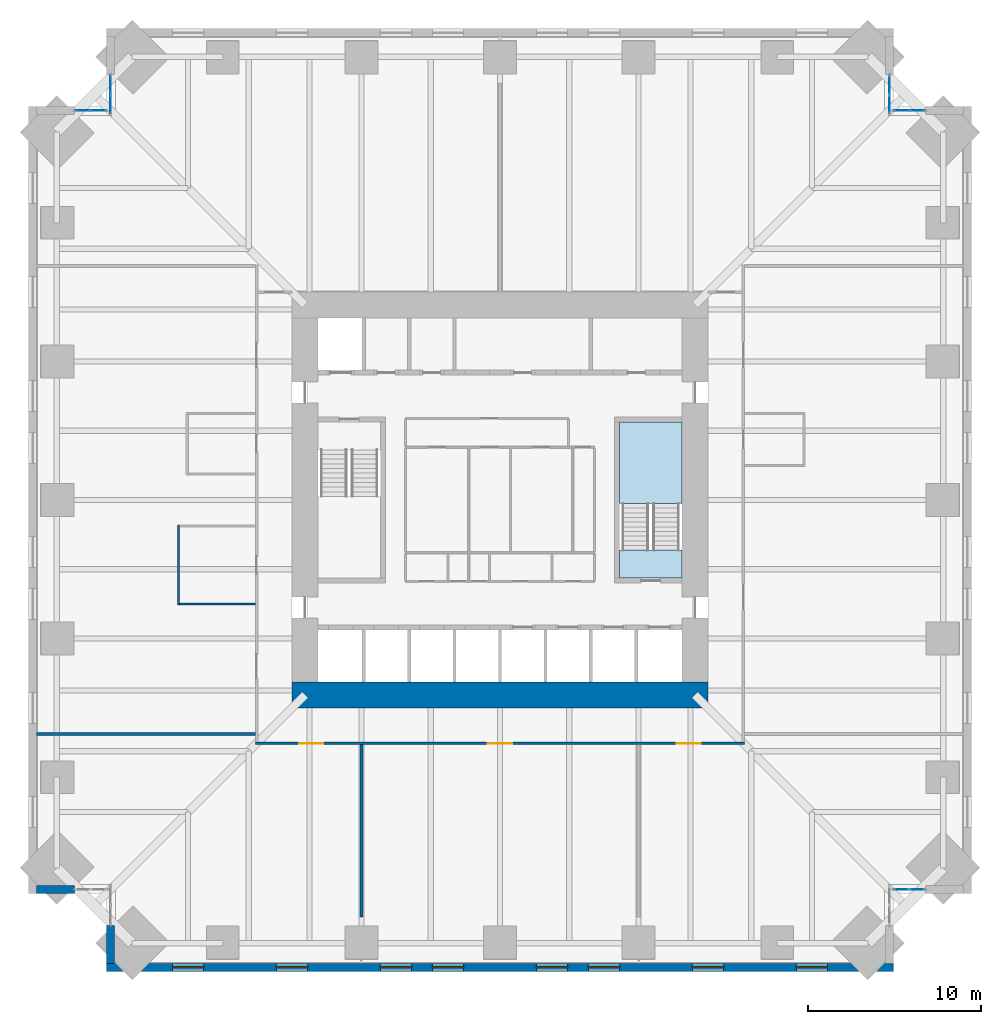
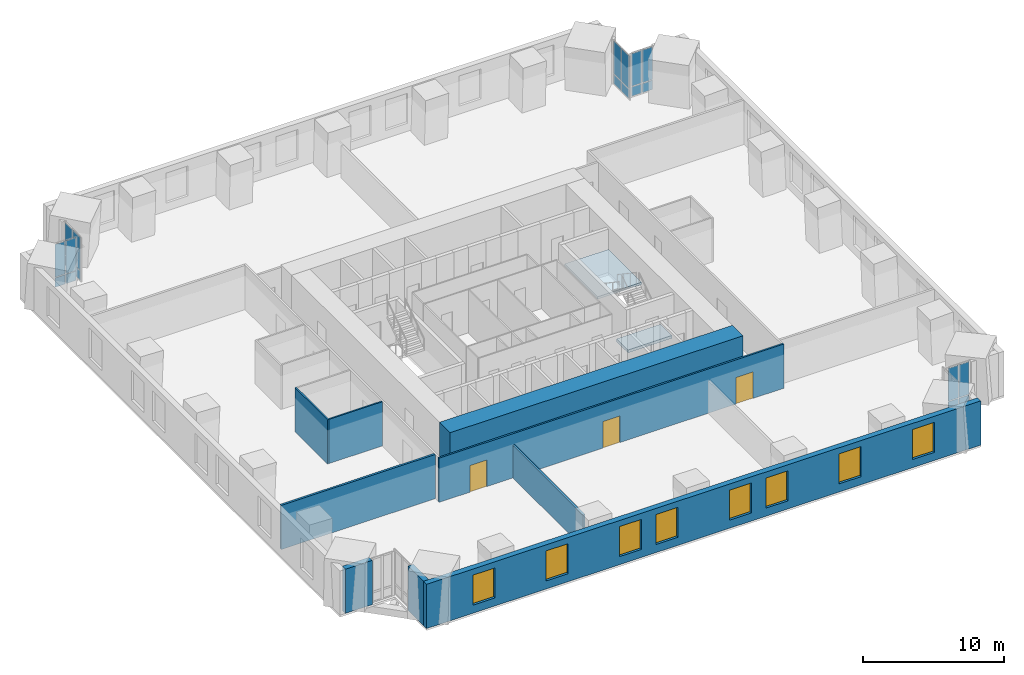
# One storey, part 11 of 16: 20 plates, 9 walls, 8 windows, 3 doors, 2 slabs, 11 openings, 6 elements without a shape of their own.
"""IFC4 building model written with IfcOpenShell, lengths in metres."""

from ifc_helpers import new_model, si_unit, direction, frame, frame_2d, origin, origin_2d, place, context, subcontext, project, spatial, polyline, rectangle, outline, extrude, material, layer, layer_set, type_object, element, fill, aggregate, save


model = new_model("IFC4")

# Units and contexts
model_context = context("Model", 3, precision=1e-05, world=origin(), true_north=direction((0.0, 1.0)))
body_context = subcontext(model_context, "Body", "Model", "MODEL_VIEW")
ifc_project = project(units=[si_unit("LENGTHUNIT", "METRE"), si_unit("AREAUNIT", "SQUARE_METRE"), si_unit("VOLUMEUNIT", "CUBIC_METRE"), si_unit("PLANEANGLEUNIT", "RADIAN"), si_unit("MASSUNIT", "GRAM", prefix="KILO")], contexts=[model_context])

# Site, building, storey
site_placement = place(None, origin())
site = spatial("IfcSite", under=ifc_project, at=site_placement, CompositionType="ELEMENT")
building_placement = place(site_placement, origin())
building = spatial("IfcBuilding", under=site, at=building_placement, Name="Peilmerk Tower", CompositionType="ELEMENT")
storey_placement = place(building_placement, frame((0.0, 0.0, 131.800048828125)))
storey = spatial("IfcBuildingStorey", under=building, at=storey_placement, Name="L26", CompositionType="ELEMENT", Elevation=131.800048828125)

# Curtain wall, plates
ifc_material_1 = material(Name="Aluminium stick curtain wall", Category="aluminium")
curtain_wall_type = type_object("IfcCurtainWallType", Name="CW3 stick curtain wall, 2250 module", PredefinedType="NOTDEFINED", material=ifc_material_1)
curtain_wall_1_placement = place(storey_placement, origin())
curtain_wall_1 = element("IfcCurtainWall", 1, at=curtain_wall_1_placement, inside=storey, type_object=curtain_wall_type, Name="Curtain wall CW3 NEA L26", PredefinedType="NOTDEFINED")
ifc_material_2 = material(Name="Clear insulated glazing unit", Category="glass")
ifc_layer_1 = layer(ifc_material_2, 0.028076171875)
ifc_layer_set_1 = layer_set([ifc_layer_1], Name="Clear insulated glazing unit")
plate_type = type_object("IfcPlateType", Name="CW3-P 28 glazed panel", PredefinedType="CURTAIN_PANEL", material=ifc_layer_set_1)
plate_1_placement = place(storey_placement, frame((22.47509765625, 22.83837890625, 0.06494140625), z_axis=(0.0, 0.0, 1.0), x_axis=(0.0, 1.0, 0.0)))
plate_1 = element("IfcPlate", 2, at=plate_1_placement, type_object=plate_type, Name="CW3 panel 1.1", PredefinedType="CURTAIN_PANEL", context=body_context, shape_type="SweptSolid", body=[
    extrude(rectangle(XDim=1.046875, YDim=0.028076171875, at=origin_2d()), origin(), (0.0, 0.0, 1.0), 0.802490234375),
])
plate_2_placement = place(storey_placement, frame((22.47509765625, 22.83837890625, 0.932373046875), z_axis=(0.0, 0.0, 1.0), x_axis=(0.0, 1.0, 0.0)))
plate_2 = element("IfcPlate", 3, at=plate_2_placement, type_object=plate_type, Name="CW3 panel 1.2", PredefinedType="CURTAIN_PANEL", context=body_context, shape_type="SweptSolid", body=[
    extrude(rectangle(XDim=1.046875, YDim=0.028076171875, at=origin_2d()), origin(), (0.0, 0.0, 1.0), 2.83251953125),
])
plate_3_placement = place(storey_placement, frame((22.47509765625, 23.9501953125, 0.06494140625), z_axis=(0.0, 0.0, 1.0), x_axis=(0.0, 1.0, 0.0)))
plate_3 = element("IfcPlate", 4, at=plate_3_placement, type_object=plate_type, Name="CW3 panel 2.1", PredefinedType="CURTAIN_PANEL", context=body_context, shape_type="SweptSolid", body=[
    extrude(rectangle(XDim=1.046875, YDim=0.028076171875, at=origin_2d()), origin(), (0.0, 0.0, 1.0), 0.802490234375),
])
plate_4_placement = place(storey_placement, frame((22.47509765625, 23.9501953125, 0.932373046875), z_axis=(0.0, 0.0, 1.0), x_axis=(0.0, 1.0, 0.0)))
plate_4 = element("IfcPlate", 5, at=plate_4_placement, type_object=plate_type, Name="CW3 panel 2.2", PredefinedType="CURTAIN_PANEL", context=body_context, shape_type="SweptSolid", body=[
    extrude(rectangle(XDim=1.046875, YDim=0.028076171875, at=origin_2d()), origin(), (0.0, 0.0, 1.0), 2.83251953125),
])
aggregate(curtain_wall_1, [plate_1, plate_2, plate_3, plate_4])

curtain_wall_2_placement = place(storey_placement, origin())
curtain_wall_2 = element("IfcCurtainWall", 6, at=curtain_wall_2_placement, inside=storey, type_object=curtain_wall_type, Name="Curtain wall CW3 NEB L26", PredefinedType="NOTDEFINED")
plate_5_placement = place(storey_placement, frame((23.176025390625, 22.47509765625, 0.06494140625), z_axis=(0.0, 0.0, 1.0), x_axis=(1.0, 0.0, 0.0)))
plate_5 = element("IfcPlate", 7, at=plate_5_placement, type_object=plate_type, Name="CW3 panel 1.1", PredefinedType="CURTAIN_PANEL", context=body_context, shape_type="SweptSolid", body=[
    extrude(rectangle(XDim=0.82177734375, YDim=0.028076171875, at=origin_2d()), origin(), (0.0, 0.0, 1.0), 0.802490234375),
])
plate_6_placement = place(storey_placement, frame((23.176025390625, 22.47509765625, 0.932373046875), z_axis=(0.0, 0.0, 1.0), x_axis=(1.0, 0.0, 0.0)))
plate_6 = element("IfcPlate", 8, at=plate_6_placement, type_object=plate_type, Name="CW3 panel 1.2", PredefinedType="CURTAIN_PANEL", context=body_context, shape_type="SweptSolid", body=[
    extrude(rectangle(XDim=0.82177734375, YDim=0.028076171875, at=origin_2d()), origin(), (0.0, 0.0, 1.0), 2.83251953125),
])
plate_7_placement = place(storey_placement, frame((24.062744140625, 22.47509765625, 0.06494140625), z_axis=(0.0, 0.0, 1.0), x_axis=(1.0, 0.0, 0.0)))
plate_7 = element("IfcPlate", 9, at=plate_7_placement, type_object=plate_type, Name="CW3 panel 2.1", PredefinedType="CURTAIN_PANEL", context=body_context, shape_type="SweptSolid", body=[
    extrude(rectangle(XDim=0.82177734375, YDim=0.028076171875, at=origin_2d()), origin(), (0.0, 0.0, 1.0), 0.802490234375),
])
plate_8_placement = place(storey_placement, frame((24.062744140625, 22.47509765625, 0.932373046875), z_axis=(0.0, 0.0, 1.0), x_axis=(1.0, 0.0, 0.0)))
plate_8 = element("IfcPlate", 10, at=plate_8_placement, type_object=plate_type, Name="CW3 panel 2.2", PredefinedType="CURTAIN_PANEL", context=body_context, shape_type="SweptSolid", body=[
    extrude(rectangle(XDim=0.82177734375, YDim=0.028076171875, at=origin_2d()), origin(), (0.0, 0.0, 1.0), 2.83251953125),
])
aggregate(curtain_wall_2, [plate_5, plate_6, plate_7, plate_8])

curtain_wall_3_placement = place(storey_placement, origin())
curtain_wall_3 = element("IfcCurtainWall", 11, at=curtain_wall_3_placement, inside=storey, type_object=curtain_wall_type, Name="Curtain wall CW3 SEB L26", PredefinedType="NOTDEFINED")
plate_9_placement = place(storey_placement, frame((23.176025390625, -22.47509765625, 0.06494140625), z_axis=(0.0, 0.0, 1.0), x_axis=(1.0, 0.0, 0.0)))
plate_9 = element("IfcPlate", 12, at=plate_9_placement, type_object=plate_type, Name="CW3 panel 1.1", PredefinedType="CURTAIN_PANEL", context=body_context, shape_type="SweptSolid", body=[
    extrude(rectangle(XDim=0.82177734375, YDim=0.028076171875, at=origin_2d()), origin(), (0.0, 0.0, 1.0), 0.802490234375),
])
plate_10_placement = place(storey_placement, frame((23.176025390625, -22.47509765625, 0.932373046875), z_axis=(0.0, 0.0, 1.0), x_axis=(1.0, 0.0, 0.0)))
plate_10 = element("IfcPlate", 13, at=plate_10_placement, type_object=plate_type, Name="CW3 panel 1.2", PredefinedType="CURTAIN_PANEL", context=body_context, shape_type="SweptSolid", body=[
    extrude(rectangle(XDim=0.82177734375, YDim=0.028076171875, at=origin_2d()), origin(), (0.0, 0.0, 1.0), 2.83251953125),
])
plate_11_placement = place(storey_placement, frame((24.062744140625, -22.47509765625, 0.06494140625), z_axis=(0.0, 0.0, 1.0), x_axis=(1.0, 0.0, 0.0)))
plate_11 = element("IfcPlate", 14, at=plate_11_placement, type_object=plate_type, Name="CW3 panel 2.1", PredefinedType="CURTAIN_PANEL", context=body_context, shape_type="SweptSolid", body=[
    extrude(rectangle(XDim=0.82177734375, YDim=0.028076171875, at=origin_2d()), origin(), (0.0, 0.0, 1.0), 0.802490234375),
])
plate_12_placement = place(storey_placement, frame((24.062744140625, -22.47509765625, 0.932373046875), z_axis=(0.0, 0.0, 1.0), x_axis=(1.0, 0.0, 0.0)))
plate_12 = element("IfcPlate", 15, at=plate_12_placement, type_object=plate_type, Name="CW3 panel 2.2", PredefinedType="CURTAIN_PANEL", context=body_context, shape_type="SweptSolid", body=[
    extrude(rectangle(XDim=0.82177734375, YDim=0.028076171875, at=origin_2d()), origin(), (0.0, 0.0, 1.0), 2.83251953125),
])
aggregate(curtain_wall_3, [plate_9, plate_10, plate_11, plate_12])

curtain_wall_4_placement = place(storey_placement, origin())
curtain_wall_4 = element("IfcCurtainWall", 16, at=curtain_wall_4_placement, inside=storey, type_object=curtain_wall_type, Name="Curtain wall CW3 NWA L26", PredefinedType="NOTDEFINED")
plate_13_placement = place(storey_placement, frame((-22.47509765625, 22.83837890625, 0.06494140625), z_axis=(0.0, 0.0, 1.0), x_axis=(0.0, 1.0, 0.0)))
plate_13 = element("IfcPlate", 17, at=plate_13_placement, type_object=plate_type, Name="CW3 panel 1.1", PredefinedType="CURTAIN_PANEL", context=body_context, shape_type="SweptSolid", body=[
    extrude(rectangle(XDim=1.046875, YDim=0.028076171875, at=origin_2d()), origin(), (0.0, 0.0, 1.0), 0.802490234375),
])
plate_14_placement = place(storey_placement, frame((-22.47509765625, 22.83837890625, 0.932373046875), z_axis=(0.0, 0.0, 1.0), x_axis=(0.0, 1.0, 0.0)))
plate_14 = element("IfcPlate", 18, at=plate_14_placement, type_object=plate_type, Name="CW3 panel 1.2", PredefinedType="CURTAIN_PANEL", context=body_context, shape_type="SweptSolid", body=[
    extrude(rectangle(XDim=1.046875, YDim=0.028076171875, at=origin_2d()), origin(), (0.0, 0.0, 1.0), 2.83251953125),
])
plate_15_placement = place(storey_placement, frame((-22.47509765625, 23.9501953125, 0.06494140625), z_axis=(0.0, 0.0, 1.0), x_axis=(0.0, 1.0, 0.0)))
plate_15 = element("IfcPlate", 19, at=plate_15_placement, type_object=plate_type, Name="CW3 panel 2.1", PredefinedType="CURTAIN_PANEL", context=body_context, shape_type="SweptSolid", body=[
    extrude(rectangle(XDim=1.046875, YDim=0.028076171875, at=origin_2d()), origin(), (0.0, 0.0, 1.0), 0.802490234375),
])
plate_16_placement = place(storey_placement, frame((-22.47509765625, 23.9501953125, 0.932373046875), z_axis=(0.0, 0.0, 1.0), x_axis=(0.0, 1.0, 0.0)))
plate_16 = element("IfcPlate", 20, at=plate_16_placement, type_object=plate_type, Name="CW3 panel 2.2", PredefinedType="CURTAIN_PANEL", context=body_context, shape_type="SweptSolid", body=[
    extrude(rectangle(XDim=1.046875, YDim=0.028076171875, at=origin_2d()), origin(), (0.0, 0.0, 1.0), 2.83251953125),
])
aggregate(curtain_wall_4, [plate_13, plate_14, plate_15, plate_16])

curtain_wall_5_placement = place(storey_placement, origin())
curtain_wall_5 = element("IfcCurtainWall", 21, at=curtain_wall_5_placement, inside=storey, type_object=curtain_wall_type, Name="Curtain wall CW3 NWB L26", PredefinedType="NOTDEFINED")
plate_17_placement = place(storey_placement, frame((-23.176025390625, 22.47509765625, 0.06494140625), z_axis=(0.0, 0.0, 1.0), x_axis=(-1.0, 0.0, 0.0)))
plate_17 = element("IfcPlate", 22, at=plate_17_placement, type_object=plate_type, Name="CW3 panel 1.1", PredefinedType="CURTAIN_PANEL", context=body_context, shape_type="SweptSolid", body=[
    extrude(rectangle(XDim=0.82177734375, YDim=0.028076171875, at=origin_2d()), origin(), (0.0, 0.0, 1.0), 0.802490234375),
])
plate_18_placement = place(storey_placement, frame((-23.176025390625, 22.47509765625, 0.932373046875), z_axis=(0.0, 0.0, 1.0), x_axis=(-1.0, 0.0, 0.0)))
plate_18 = element("IfcPlate", 23, at=plate_18_placement, type_object=plate_type, Name="CW3 panel 1.2", PredefinedType="CURTAIN_PANEL", context=body_context, shape_type="SweptSolid", body=[
    extrude(rectangle(XDim=0.82177734375, YDim=0.028076171875, at=origin_2d()), origin(), (0.0, 0.0, 1.0), 2.83251953125),
])
plate_19_placement = place(storey_placement, frame((-24.062744140625, 22.47509765625, 0.06494140625), z_axis=(0.0, 0.0, 1.0), x_axis=(-1.0, 0.0, 0.0)))
plate_19 = element("IfcPlate", 24, at=plate_19_placement, type_object=plate_type, Name="CW3 panel 2.1", PredefinedType="CURTAIN_PANEL", context=body_context, shape_type="SweptSolid", body=[
    extrude(rectangle(XDim=0.82177734375, YDim=0.028076171875, at=origin_2d()), origin(), (0.0, 0.0, 1.0), 0.802490234375),
])
plate_20_placement = place(storey_placement, frame((-24.062744140625, 22.47509765625, 0.932373046875), z_axis=(0.0, 0.0, 1.0), x_axis=(-1.0, 0.0, 0.0)))
plate_20 = element("IfcPlate", 25, at=plate_20_placement, type_object=plate_type, Name="CW3 panel 2.2", PredefinedType="CURTAIN_PANEL", context=body_context, shape_type="SweptSolid", body=[
    extrude(rectangle(XDim=0.82177734375, YDim=0.028076171875, at=origin_2d()), origin(), (0.0, 0.0, 1.0), 2.83251953125),
])
aggregate(curtain_wall_5, [plate_17, plate_18, plate_19, plate_20])

# Stair, slabs
ifc_material_3 = material(Name="Precast concrete C45/55", Category="concrete")
stair_type = type_object("IfcStairType", Name="ST2 22 risers of 181.8", PredefinedType="HALF_TURN_STAIR", material=ifc_material_3)
stair_placement = place(storey_placement, origin())
stair = element("IfcStair", 26, at=stair_placement, inside=storey, type_object=stair_type, Name="Stair 2 L26 to L27", PredefinedType="HALF_TURN_STAIR")
ifc_material_4 = material(Name="Concrete C35/45", Category="concrete")
ifc_layer_2 = layer(ifc_material_4, 0.199951171875)
ifc_layer_set_2 = layer_set([ifc_layer_2], Name="Concrete C35/45")
slab_type_1 = type_object("IfcSlabType", Name="SL1 200 concrete stair landing", PredefinedType="LANDING", material=ifc_layer_set_2)
slab_1_placement = place(storey_placement, frame((0.0, 0.0, 1.800048828125)))
slab_1 = element("IfcSlab", 27, at=slab_1_placement, type_object=slab_type_1, Name="ST2 landing 1", PredefinedType="LANDING", context=body_context, shape_type="SweptSolid", body=[
    extrude(outline(polyline([(6.89990234375, -0.199951171875), (10.5, -0.199951171875), (10.5, 4.5), (6.89990234375, 4.5), (6.89990234375, -0.199951171875)])), origin(), (0.0, 0.0, 1.0), 0.199951171875),
])
ifc_layer_3 = layer(ifc_material_4, 0.25)
ifc_layer_set_3 = layer_set([ifc_layer_3], Name="Concrete C35/45")
slab_type_2 = type_object("IfcSlabType", Name="SL2 250 concrete floor landing", PredefinedType="LANDING", material=ifc_layer_set_3)
slab_2_placement = place(storey_placement, frame((0.0, 0.0, -0.25)))
slab_2 = element("IfcSlab", 28, at=slab_2_placement, type_object=slab_type_2, Name="ST2 floor landing", PredefinedType="LANDING", context=body_context, shape_type="SweptSolid", body=[
    extrude(outline(polyline([(6.89990234375, -4.5), (10.5, -4.5), (10.5, -2.89990234375), (6.89990234375, -2.89990234375), (6.89990234375, -4.5)])), origin(), (0.0, 0.0, 1.0), 0.25),
])
aggregate(stair, [slab_1, slab_2])

# Wall, openings, windows
ifc_material_5 = material(Name="Precast concrete C45/55, board-marked finish", Category="concrete")
ifc_layer_4 = layer(ifc_material_5, 0.449951171875)
ifc_layer_set_4 = layer_set([ifc_layer_4], Name="Precast concrete C45/55, board-marked finish")
wall_type_1 = type_object("IfcWallType", Name="EW1 450 precast concrete facade wall, board-marked", PredefinedType="SOLIDWALL", material=ifc_layer_set_4)
wall_1_placement = place(storey_placement, frame((-22.699951171875, -26.97509765625, 0.0), z_axis=(0.0, 0.0, 1.0), x_axis=(1.0, 0.0, 0.0)))
wall_1 = element("IfcWall", 29, at=wall_1_placement, inside=storey, type_object=wall_type_1, Name="Facade wall S L26", PredefinedType="SOLIDWALL", context=body_context, shape_type="SweptSolid", body=[
    extrude(rectangle(XDim=45.39990234375, YDim=0.449951171875, at=frame_2d((22.699951171875, 0.0))), origin(), (0.0, 0.0, 1.0), 3.829833984375),
])
opening_1_placement = place(wall_1_placement, frame((3.800048828125, 0.0, 0.699951171875)))
opening_1 = element("IfcOpeningElement", 30, at=opening_1_placement, cuts=wall_1, Name="Opening W1", PredefinedType="OPENING", context=body_context, shape_type="SweptSolid", body=[
    extrude(rectangle(XDim=1.800048828125, YDim=2.60009765625, at=frame_2d((0.89990234375, 1.300048828125))), frame((0.0, 0.23486328125, 0.0), z_axis=(0.0, -1.0, 0.0), x_axis=(1.0, 0.0, 0.0)), (0.0, 0.0, 1.0), 0.469970703125),
])
opening_2_placement = place(wall_1_placement, frame((9.800048828125, 0.0, 0.699951171875)))
opening_2 = element("IfcOpeningElement", 31, at=opening_2_placement, cuts=wall_1, Name="Opening W1", PredefinedType="OPENING", context=body_context, shape_type="SweptSolid", body=[
    extrude(rectangle(XDim=1.800048828125, YDim=2.60009765625, at=frame_2d((0.89990234375, 1.300048828125))), frame((0.0, 0.23486328125, 0.0), z_axis=(0.0, -1.0, 0.0), x_axis=(1.0, 0.0, 0.0)), (0.0, 0.0, 1.0), 0.469970703125),
])
opening_3_placement = place(wall_1_placement, frame((15.800048828125, 0.0, 0.699951171875)))
opening_3 = element("IfcOpeningElement", 32, at=opening_3_placement, cuts=wall_1, Name="Opening W1", PredefinedType="OPENING", context=body_context, shape_type="SweptSolid", body=[
    extrude(rectangle(XDim=1.800048828125, YDim=2.60009765625, at=frame_2d((0.89990234375, 1.300048828125))), frame((0.0, 0.23486328125, 0.0), z_axis=(0.0, -1.0, 0.0), x_axis=(1.0, 0.0, 0.0)), (0.0, 0.0, 1.0), 0.469970703125),
])
opening_4_placement = place(wall_1_placement, frame((18.800048828125, 0.0, 0.699951171875)))
opening_4 = element("IfcOpeningElement", 33, at=opening_4_placement, cuts=wall_1, Name="Opening W1", PredefinedType="OPENING", context=body_context, shape_type="SweptSolid", body=[
    extrude(rectangle(XDim=1.800048828125, YDim=2.60009765625, at=frame_2d((0.89990234375, 1.300048828125))), frame((0.0, 0.23486328125, 0.0), z_axis=(0.0, -1.0, 0.0), x_axis=(1.0, 0.0, 0.0)), (0.0, 0.0, 1.0), 0.469970703125),
])
opening_5_placement = place(wall_1_placement, frame((24.800048828125, 0.0, 0.699951171875)))
opening_5 = element("IfcOpeningElement", 34, at=opening_5_placement, cuts=wall_1, Name="Opening W1", PredefinedType="OPENING", context=body_context, shape_type="SweptSolid", body=[
    extrude(rectangle(XDim=1.800048828125, YDim=2.60009765625, at=frame_2d((0.89990234375, 1.300048828125))), frame((0.0, 0.23486328125, 0.0), z_axis=(0.0, -1.0, 0.0), x_axis=(1.0, 0.0, 0.0)), (0.0, 0.0, 1.0), 0.469970703125),
])
opening_6_placement = place(wall_1_placement, frame((27.800048828125, 0.0, 0.699951171875)))
opening_6 = element("IfcOpeningElement", 35, at=opening_6_placement, cuts=wall_1, Name="Opening W1", PredefinedType="OPENING", context=body_context, shape_type="SweptSolid", body=[
    extrude(rectangle(XDim=1.800048828125, YDim=2.60009765625, at=frame_2d((0.89990234375, 1.300048828125))), frame((0.0, 0.23486328125, 0.0), z_axis=(0.0, -1.0, 0.0), x_axis=(1.0, 0.0, 0.0)), (0.0, 0.0, 1.0), 0.469970703125),
])
opening_7_placement = place(wall_1_placement, frame((33.800048828125, 0.0, 0.699951171875)))
opening_7 = element("IfcOpeningElement", 36, at=opening_7_placement, cuts=wall_1, Name="Opening W1", PredefinedType="OPENING", context=body_context, shape_type="SweptSolid", body=[
    extrude(rectangle(XDim=1.800048828125, YDim=2.60009765625, at=frame_2d((0.89990234375, 1.300048828125))), frame((0.0, 0.23486328125, 0.0), z_axis=(0.0, -1.0, 0.0), x_axis=(1.0, 0.0, 0.0)), (0.0, 0.0, 1.0), 0.469970703125),
])
opening_8_placement = place(wall_1_placement, frame((39.800048828125, 0.0, 0.699951171875)))
opening_8 = element("IfcOpeningElement", 37, at=opening_8_placement, cuts=wall_1, Name="Opening W1", PredefinedType="OPENING", context=body_context, shape_type="SweptSolid", body=[
    extrude(rectangle(XDim=1.800048828125, YDim=2.60009765625, at=frame_2d((0.89990234375, 1.300048828125))), frame((0.0, 0.23486328125, 0.0), z_axis=(0.0, -1.0, 0.0), x_axis=(1.0, 0.0, 0.0)), (0.0, 0.0, 1.0), 0.469970703125),
])
ifc_material_6 = material(Name="Aluminium frame, clear double glazing", Category="aluminium")
window_type = type_object("IfcWindowType", Name="W1 1800x2600 office window", PartitioningType="SINGLE_PANEL", PredefinedType="WINDOW", material=ifc_material_6)
window_1_placement = place(opening_1_placement, origin())
window_1 = element("IfcWindow", 38, at=window_1_placement, inside=storey, type_object=window_type, Name="Window W1 L26", OverallHeight=2.60009765625, OverallWidth=1.800048828125, PartitioningType="SINGLE_PANEL", PredefinedType="WINDOW", context=body_context, shape_type="SweptSolid", body=[
    extrude(rectangle(XDim=1.800048828125, YDim=2.60009765625, at=frame_2d((0.89990234375, 1.300048828125))), frame((0.0, 0.030029296875, 0.0), z_axis=(0.0, -1.0, 0.0), x_axis=(1.0, 0.0, 0.0)), (0.0, 0.0, 1.0), 0.06005859375),
])
fill(opening_1, window_1)
window_2_placement = place(opening_2_placement, origin())
window_2 = element("IfcWindow", 39, at=window_2_placement, inside=storey, type_object=window_type, Name="Window W1 L26", OverallHeight=2.60009765625, OverallWidth=1.800048828125, PartitioningType="SINGLE_PANEL", PredefinedType="WINDOW", context=body_context, shape_type="SweptSolid", body=[
    extrude(rectangle(XDim=1.800048828125, YDim=2.60009765625, at=frame_2d((0.89990234375, 1.300048828125))), frame((0.0, 0.030029296875, 0.0), z_axis=(0.0, -1.0, 0.0), x_axis=(1.0, 0.0, 0.0)), (0.0, 0.0, 1.0), 0.06005859375),
])
fill(opening_2, window_2)
window_3_placement = place(opening_3_placement, origin())
window_3 = element("IfcWindow", 40, at=window_3_placement, inside=storey, type_object=window_type, Name="Window W1 L26", OverallHeight=2.60009765625, OverallWidth=1.800048828125, PartitioningType="SINGLE_PANEL", PredefinedType="WINDOW", context=body_context, shape_type="SweptSolid", body=[
    extrude(rectangle(XDim=1.800048828125, YDim=2.60009765625, at=frame_2d((0.89990234375, 1.300048828125))), frame((0.0, 0.030029296875, 0.0), z_axis=(0.0, -1.0, 0.0), x_axis=(1.0, 0.0, 0.0)), (0.0, 0.0, 1.0), 0.06005859375),
])
fill(opening_3, window_3)
window_4_placement = place(opening_4_placement, origin())
window_4 = element("IfcWindow", 41, at=window_4_placement, inside=storey, type_object=window_type, Name="Window W1 L26", OverallHeight=2.60009765625, OverallWidth=1.800048828125, PartitioningType="SINGLE_PANEL", PredefinedType="WINDOW", context=body_context, shape_type="SweptSolid", body=[
    extrude(rectangle(XDim=1.800048828125, YDim=2.60009765625, at=frame_2d((0.89990234375, 1.300048828125))), frame((0.0, 0.030029296875, 0.0), z_axis=(0.0, -1.0, 0.0), x_axis=(1.0, 0.0, 0.0)), (0.0, 0.0, 1.0), 0.06005859375),
])
fill(opening_4, window_4)
window_5_placement = place(opening_5_placement, origin())
window_5 = element("IfcWindow", 42, at=window_5_placement, inside=storey, type_object=window_type, Name="Window W1 L26", OverallHeight=2.60009765625, OverallWidth=1.800048828125, PartitioningType="SINGLE_PANEL", PredefinedType="WINDOW", context=body_context, shape_type="SweptSolid", body=[
    extrude(rectangle(XDim=1.800048828125, YDim=2.60009765625, at=frame_2d((0.89990234375, 1.300048828125))), frame((0.0, 0.030029296875, 0.0), z_axis=(0.0, -1.0, 0.0), x_axis=(1.0, 0.0, 0.0)), (0.0, 0.0, 1.0), 0.06005859375),
])
fill(opening_5, window_5)
window_6_placement = place(opening_6_placement, origin())
window_6 = element("IfcWindow", 43, at=window_6_placement, inside=storey, type_object=window_type, Name="Window W1 L26", OverallHeight=2.60009765625, OverallWidth=1.800048828125, PartitioningType="SINGLE_PANEL", PredefinedType="WINDOW", context=body_context, shape_type="SweptSolid", body=[
    extrude(rectangle(XDim=1.800048828125, YDim=2.60009765625, at=frame_2d((0.89990234375, 1.300048828125))), frame((0.0, 0.030029296875, 0.0), z_axis=(0.0, -1.0, 0.0), x_axis=(1.0, 0.0, 0.0)), (0.0, 0.0, 1.0), 0.06005859375),
])
fill(opening_6, window_6)
window_7_placement = place(opening_7_placement, origin())
window_7 = element("IfcWindow", 44, at=window_7_placement, inside=storey, type_object=window_type, Name="Window W1 L26", OverallHeight=2.60009765625, OverallWidth=1.800048828125, PartitioningType="SINGLE_PANEL", PredefinedType="WINDOW", context=body_context, shape_type="SweptSolid", body=[
    extrude(rectangle(XDim=1.800048828125, YDim=2.60009765625, at=frame_2d((0.89990234375, 1.300048828125))), frame((0.0, 0.030029296875, 0.0), z_axis=(0.0, -1.0, 0.0), x_axis=(1.0, 0.0, 0.0)), (0.0, 0.0, 1.0), 0.06005859375),
])
fill(opening_7, window_7)
window_8_placement = place(opening_8_placement, origin())
window_8 = element("IfcWindow", 45, at=window_8_placement, inside=storey, type_object=window_type, Name="Window W1 L26", OverallHeight=2.60009765625, OverallWidth=1.800048828125, PartitioningType="SINGLE_PANEL", PredefinedType="WINDOW", context=body_context, shape_type="SweptSolid", body=[
    extrude(rectangle(XDim=1.800048828125, YDim=2.60009765625, at=frame_2d((0.89990234375, 1.300048828125))), frame((0.0, 0.030029296875, 0.0), z_axis=(0.0, -1.0, 0.0), x_axis=(1.0, 0.0, 0.0)), (0.0, 0.0, 1.0), 0.06005859375),
])
fill(opening_8, window_8)

# Walls
for number, where, z_axis, x_axis, name in (
    (46, (-22.47509765625, -24.5537109375, 0.0), (0.0, 0.0, 1.0), (0.0, -1.0, 0.0), "Facade wall SWA L26"),
    (47, (-24.5537109375, -22.47509765625, 0.0), (0.0, 0.0, 1.0), (-1.0, 0.0, 0.0), "Facade wall SWB L26"),
):
    element("IfcWall", number, at=place(storey_placement, frame(where, z_axis=z_axis, x_axis=x_axis)), inside=storey, type_object=wall_type_1, Name=name, PredefinedType="SOLIDWALL", context=body_context, shape_type="SweptSolid", body=[
        extrude(rectangle(XDim=2.1962890625, YDim=0.449951171875, at=frame_2d((1.09814453125, 0.0))), origin(), (0.0, 0.0, 1.0), 3.829833984375),
    ])

# Wall, openings, doors
ifc_material_7 = material(Name="Calcium silicate block", Category="masonry")
ifc_layer_5 = layer(ifc_material_7, 0.14990234375)
ifc_layer_set_5 = layer_set([ifc_layer_5], Name="Calcium silicate block")
wall_type_2 = type_object("IfcWallType", Name="IW1 150 corridor partition, EI 60", PredefinedType="PARTITIONING", material=ifc_layer_set_5)
wall_2_placement = place(storey_placement, frame((14.125, -14.050048828125, 0.0), z_axis=(0.0, 0.0, 1.0), x_axis=(-1.0, 0.0, 0.0)))
wall_2 = element("IfcWall", 48, at=wall_2_placement, inside=storey, type_object=wall_type_2, Name="Corridor wall S L26", PredefinedType="PARTITIONING", context=body_context, shape_type="SweptSolid", body=[
    extrude(rectangle(XDim=28.25, YDim=0.14990234375, at=frame_2d((14.125, 0.0))), origin(), (0.0, 0.0, 1.0), 3.829833984375),
])
opening_9_placement = place(wall_2_placement, frame((24.324951171875, 0.0, 0.0)))
opening_9 = element("IfcOpeningElement", 49, at=opening_9_placement, cuts=wall_2, Name="Opening D8", PredefinedType="OPENING", context=body_context, shape_type="SweptSolid", body=[
    extrude(rectangle(XDim=1.39990234375, YDim=2.300048828125, at=frame_2d((0.699951171875, 1.14990234375))), frame((0.0, 0.0849609375, 0.0), z_axis=(0.0, -1.0, 0.0), x_axis=(1.0, 0.0, 0.0)), (0.0, 0.0, 1.0), 0.169921875),
])
opening_10_placement = place(wall_2_placement, frame((13.425048828125, 0.0, 0.0)))
opening_10 = element("IfcOpeningElement", 50, at=opening_10_placement, cuts=wall_2, Name="Opening D8", PredefinedType="OPENING", context=body_context, shape_type="SweptSolid", body=[
    extrude(rectangle(XDim=1.39990234375, YDim=2.300048828125, at=frame_2d((0.699951171875, 1.14990234375))), frame((0.0, 0.0849609375, 0.0), z_axis=(0.0, -1.0, 0.0), x_axis=(1.0, 0.0, 0.0)), (0.0, 0.0, 1.0), 0.169921875),
])
opening_11_placement = place(wall_2_placement, frame((2.52490234375, 0.0, 0.0)))
opening_11 = element("IfcOpeningElement", 51, at=opening_11_placement, cuts=wall_2, Name="Opening D8", PredefinedType="OPENING", context=body_context, shape_type="SweptSolid", body=[
    extrude(rectangle(XDim=1.39990234375, YDim=2.300048828125, at=frame_2d((0.699951171875, 1.14990234375))), frame((0.0, 0.0849609375, 0.0), z_axis=(0.0, -1.0, 0.0), x_axis=(1.0, 0.0, 0.0)), (0.0, 0.0, 1.0), 0.169921875),
])
ifc_material_8 = material(Name="Timber door in steel frame", Category="steel")
door_type = type_object("IfcDoorType", Name="D8 1400x2300 leaf-and-a-half door, EI2 30", OperationType="DOUBLE_DOOR_SINGLE_SWING", PredefinedType="DOOR", material=ifc_material_8)
door_1_placement = place(opening_9_placement, origin())
door_1 = element("IfcDoor", 52, at=door_1_placement, inside=storey, type_object=door_type, Name="Door Tenant suite L26", OperationType="DOUBLE_DOOR_SINGLE_SWING", OverallHeight=2.300048828125, OverallWidth=1.39990234375, PredefinedType="DOOR", context=body_context, shape_type="SweptSolid", body=[
    extrude(rectangle(XDim=1.39990234375, YDim=2.300048828125, at=frame_2d((0.699951171875, 1.14990234375))), frame((0.0, 0.02490234375, 0.0), z_axis=(0.0, -1.0, 0.0), x_axis=(1.0, 0.0, 0.0)), (0.0, 0.0, 1.0), 0.050048828125),
])
fill(opening_9, door_1)
door_2_placement = place(opening_10_placement, origin())
door_2 = element("IfcDoor", 53, at=door_2_placement, inside=storey, type_object=door_type, Name="Door Client suite L26", OperationType="DOUBLE_DOOR_SINGLE_SWING", OverallHeight=2.300048828125, OverallWidth=1.39990234375, PredefinedType="DOOR", context=body_context, shape_type="SweptSolid", body=[
    extrude(rectangle(XDim=1.39990234375, YDim=2.300048828125, at=frame_2d((0.699951171875, 1.14990234375))), frame((0.0, 0.02490234375, 0.0), z_axis=(0.0, -1.0, 0.0), x_axis=(1.0, 0.0, 0.0)), (0.0, 0.0, 1.0), 0.050048828125),
])
fill(opening_10, door_2)
door_3_placement = place(opening_11_placement, origin())
door_3 = element("IfcDoor", 54, at=door_3_placement, inside=storey, type_object=door_type, Name="Door Tenant suite L26", OperationType="DOUBLE_DOOR_SINGLE_SWING", OverallHeight=2.300048828125, OverallWidth=1.39990234375, PredefinedType="DOOR", context=body_context, shape_type="SweptSolid", body=[
    extrude(rectangle(XDim=1.39990234375, YDim=2.300048828125, at=frame_2d((0.699951171875, 1.14990234375))), frame((0.0, 0.02490234375, 0.0), z_axis=(0.0, -1.0, 0.0), x_axis=(1.0, 0.0, 0.0)), (0.0, 0.0, 1.0), 0.050048828125),
])
fill(opening_11, door_3)

# Walls
ifc_material_9 = material(Name="Plasterboard on steel studs, double boarded with mineral wool", Category="steel")
ifc_layer_6 = layer(ifc_material_9, 0.125)
ifc_layer_set_6 = layer_set([ifc_layer_6], Name="Plasterboard on steel studs, double boarded with mineral wool")
wall_type_3 = type_object("IfcWallType", Name="IW7 125 acoustic partition, EI 30", PredefinedType="PARTITIONING", material=ifc_layer_set_6)
wall_3_placement = place(storey_placement, frame((-18.550048828125, -6.0625, 0.0), z_axis=(0.0, 0.0, 1.0), x_axis=(0.0, 1.0, 0.0)))
element("IfcWall", 55, at=wall_3_placement, inside=storey, type_object=wall_type_3, Name="Acoustic partition Meeting room L26", PredefinedType="PARTITIONING", context=body_context, shape_type="SweptSolid", body=[
    extrude(rectangle(XDim=4.625, YDim=0.125, at=frame_2d((2.3125, 0.0))), origin(), (0.0, 0.0, 1.0), 3.829833984375),
])
wall_4_placement = place(storey_placement, frame((-14.125, -6.0, 0.0), z_axis=(0.0, 0.0, 1.0), x_axis=(-1.0, 0.0, 0.0)))
element("IfcWall", 56, at=wall_4_placement, inside=storey, type_object=wall_type_3, Name="Acoustic partition Meeting room L26", PredefinedType="PARTITIONING", context=body_context, shape_type="SweptSolid", body=[
    extrude(rectangle(XDim=4.362548828125, YDim=0.125, at=frame_2d((2.18115234375, 0.0))), origin(), (0.0, 0.0, 1.0), 3.829833984375),
])
ifc_layer_7 = layer(ifc_material_7, 0.175048828125)
ifc_layer_set_7 = layer_set([ifc_layer_7], Name="Calcium silicate block")
wall_type_4 = type_object("IfcWallType", Name="IW8 175 tenant separating wall, EI 60", PredefinedType="PARTITIONING", material=ifc_layer_set_7)
wall_5_placement = place(storey_placement, frame((-14.125, -13.5, 0.0), z_axis=(0.0, 0.0, 1.0), x_axis=(-1.0, 0.0, 0.0)))
element("IfcWall", 57, at=wall_5_placement, inside=storey, type_object=wall_type_4, Name="Tenant separating wall SW L26", PredefinedType="PARTITIONING", context=body_context, shape_type="SweptSolid", body=[
    extrude(rectangle(XDim=12.625, YDim=0.175048828125, at=frame_2d((6.3125, 0.0))), origin(), (0.0, 0.0, 1.0), 3.829833984375),
])
wall_6_placement = place(storey_placement, frame((-8.0, -14.125, 0.0), z_axis=(0.0, 0.0, 1.0), x_axis=(0.0, -1.0, 0.0)))
element("IfcWall", 58, at=wall_6_placement, inside=storey, type_object=wall_type_4, Name="Tenant separating wall S1 L26", PredefinedType="PARTITIONING", context=body_context, shape_type="SweptSolid", body=[
    extrude(rectangle(XDim=9.952392578125, YDim=0.175048828125, at=frame_2d((4.97607421875, 0.0))), origin(), (0.0, 0.0, 1.0), 2.829833984375),
])
ifc_material_10 = material(Name="Concrete C55/67", Category="concrete")
ifc_layer_8 = layer(ifc_material_10, 1.5)
ifc_layer_set_8 = layer_set([ifc_layer_8], Name="Concrete C55/67")
wall_type_5 = type_object("IfcWallType", Name="SW1 1500 core wall", PredefinedType="SHEAR", material=ifc_layer_set_8)
wall_7_placement = place(storey_placement, frame((12.0, -11.25, 0.0), z_axis=(0.0, 0.0, 1.0), x_axis=(-1.0, 0.0, 0.0)))
element("IfcWall", 59, at=wall_7_placement, inside=storey, type_object=wall_type_5, Name="Core wall S L26", PredefinedType="SHEAR", context=body_context, shape_type="SweptSolid", body=[
    extrude(rectangle(XDim=24.0, YDim=1.5, at=frame_2d((12.0, 0.0))), origin(), (0.0, 0.0, 1.0), 4.0),
])

save(model, "model.ifc")
